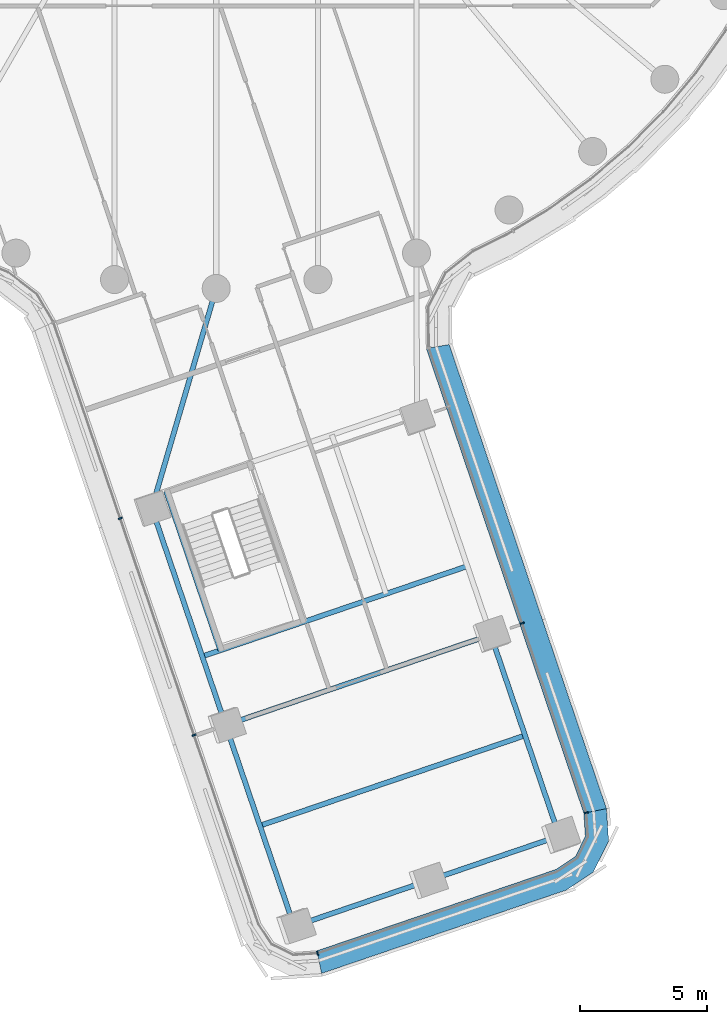
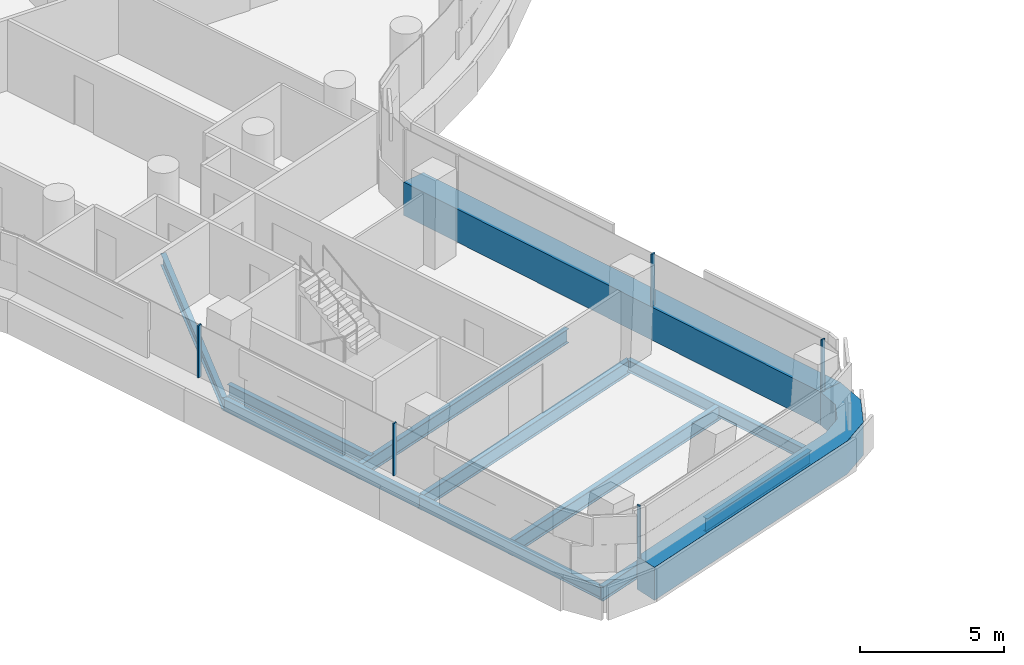
# One storey, part 2 of 29: 10 beams, 7 members, 3 elements without a shape of their own.
"""IFC4 building model written with IfcOpenShell, lengths in metres."""

from ifc_helpers import new_model, si_unit, direction, frame, origin, origin_2d, place, context, subcontext, project, spatial, polyline, rectangle, i_section, outline, extrude, material, layer, layer_set, material_profile, profile_set, type_object, element, aggregate, save


model = new_model("IFC4")

# Units and contexts
model_context = context("Model", 3, precision=1e-05, world=origin(), true_north=direction((0.0, 1.0)))
body_context = subcontext(model_context, "Body", "Model", "MODEL_VIEW")
ifc_project = project(units=[si_unit("LENGTHUNIT", "METRE"), si_unit("AREAUNIT", "SQUARE_METRE"), si_unit("VOLUMEUNIT", "CUBIC_METRE"), si_unit("PLANEANGLEUNIT", "RADIAN"), si_unit("MASSUNIT", "GRAM", prefix="KILO")], contexts=[model_context])

# Site, building, storey
site_placement = place(None, origin())
site = spatial("IfcSite", under=ifc_project, at=site_placement, CompositionType="ELEMENT")
building_placement = place(site_placement, origin())
building = spatial("IfcBuilding", under=site, at=building_placement, Name="Tamarind Cross Interchange Tower", CompositionType="ELEMENT")
storey_placement = place(building_placement, frame((0.0, 0.0, 102.25)))
storey = spatial("IfcBuildingStorey", under=building, at=storey_placement, Name="L24", CompositionType="ELEMENT", Elevation=102.25)

# Beams
ifc_material_1 = material(Name="Steel Q355B", Category="steel")
ifc_material_profile_1 = material_profile(ifc_material_1, i_section(OverallWidth=0.198974609375, OverallDepth=0.49609375, WebThickness=0.009033203125, FlangeThickness=0.013916015625, FilletRadius=0.012939453125, at=origin_2d()), Name="HN 496x199x9x14")
ifc_profile_set_1 = profile_set([ifc_material_profile_1], Name="Steel Q355B")
beam_type_1 = type_object("IfcBeamType", Name="Composite beam HN 496x199x9x14 Q355B", PredefinedType="BEAM", material=ifc_profile_set_1)
beam_1_placement = place(storey_placement, frame((3.061767578125, -48.05126953125, -0.387939453125), z_axis=(-0.322389266222, 0.946607184119, 0.0), x_axis=(-0.946607184119, -0.322389266222, 0.0)))
element("IfcBeam", 1, at=beam_1_placement, inside=storey, type_object=beam_type_1, Name="Beam S-edgeem5", PredefinedType="BEAM", context=body_context, shape_type="SweptSolid", body=[
    extrude(i_section(OverallWidth=0.198974609375, OverallDepth=0.49609375, WebThickness=0.009033203125, FlangeThickness=0.013916015625, FilletRadius=0.012939453125, at=origin_2d()), origin(), (0.0, 0.0, 1.0), 8.34765625),
])
beam_2_placement = place(storey_placement, frame((0.37060546875, -40.1494140625, -0.387939453125), z_axis=(-0.322373446849, 0.946612571629, 0.0), x_axis=(-0.946612571629, -0.322373446849, 0.0)))
element("IfcBeam", 2, at=beam_2_placement, inside=storey, type_object=beam_type_1, Name="Beam S-edgeem6", PredefinedType="BEAM", context=body_context, shape_type="SweptSolid", body=[
    extrude(i_section(OverallWidth=0.198974609375, OverallDepth=0.49609375, WebThickness=0.009033203125, FlangeThickness=0.013916015625, FilletRadius=0.012939453125, at=origin_2d()), origin(), (0.0, 0.0, 1.0), 9.0),
])
beam_3_placement = place(storey_placement, frame((13.474365234375, -44.505126953125, -0.387939453125), z_axis=(-0.322363058667, 0.946616109311, 0.0), x_axis=(-0.946616109311, -0.322363058667, 0.0)))
element("IfcBeam", 3, at=beam_3_placement, inside=storey, type_object=beam_type_1, Name="Beam S-edgeep2", PredefinedType="BEAM", context=body_context, shape_type="SweptSolid", body=[
    extrude(i_section(OverallWidth=0.198974609375, OverallDepth=0.49609375, WebThickness=0.009033203125, FlangeThickness=0.013916015625, FilletRadius=0.012939453125, at=origin_2d()), origin(), (0.0, 0.0, 1.0), 8.347412109375),
])
beam_4_placement = place(storey_placement, frame((-2.53076171875, -31.6298828125, -0.387939453125), z_axis=(0.281404911178, 0.959589118303, 0.0), x_axis=(-0.959589118303, 0.281404911178, 0.0)))
element("IfcBeam", 4, at=beam_4_placement, inside=storey, type_object=beam_type_1, Name="Beam S-linkem", PredefinedType="BEAM", context=body_context, shape_type="SweptSolid", body=[
    extrude(i_section(OverallWidth=0.198974609375, OverallDepth=0.49609375, WebThickness=0.009033203125, FlangeThickness=0.013916015625, FilletRadius=0.012939453125, at=origin_2d()), origin(), (0.0, 0.0, 1.0), 8.993408203125),
])
beam_5_placement = place(storey_placement, frame((-1.9658203125, -30.962158203125, -0.387939453125), z_axis=(0.322380172008, -0.946610281318, 0.0), x_axis=(0.946610281318, 0.322380172008, 0.0)))
element("IfcBeam", 5, at=beam_5_placement, inside=storey, type_object=beam_type_1, Name="Beam S-tr0", PredefinedType="BEAM", context=body_context, shape_type="SweptSolid", body=[
    extrude(i_section(OverallWidth=0.198974609375, OverallDepth=0.49609375, WebThickness=0.009033203125, FlangeThickness=0.013916015625, FilletRadius=0.012939453125, at=origin_2d()), origin(), (0.0, 0.0, 1.0), 6.599853515625),
])
ifc_material_profile_2 = material_profile(ifc_material_1, i_section(OverallWidth=0.199951171875, OverallDepth=0.60009765625, WebThickness=0.010986328125, FlangeThickness=0.01708984375, FilletRadius=0.012939453125, at=origin_2d()), Name="HN 600x200x11x17")
ifc_profile_set_2 = profile_set([ifc_material_profile_2], Name="Steel Q355B")
beam_type_2 = type_object("IfcBeamType", Name="Composite beam HN 600x200x11x17 Q355B", PredefinedType="BEAM", material=ifc_profile_set_2)
for number, where, z_axis, x_axis, name in (
    (6, (3.061767578125, -48.05126953125, -0.43994140625), (0.946617054323, 0.322360283634, 0.0), (-0.322360283634, 0.946617054323, 0.0), "Beam S-tip0"),
    (7, (8.26806640625, -46.2783203125, -0.43994140625), (0.946603507991, 0.322400059955, 0.0), (-0.322400059955, 0.946603507991, 0.0), "Beam S-tip1"),
):
    element("IfcBeam", number, at=place(storey_placement, frame(where, z_axis=z_axis, x_axis=x_axis)), inside=storey, type_object=beam_type_2, Name=name, PredefinedType="BEAM", context=body_context, shape_type="SweptSolid", body=[
        extrude(i_section(OverallWidth=0.199951171875, OverallDepth=0.60009765625, WebThickness=0.010986328125, FlangeThickness=0.01708984375, FilletRadius=0.012939453125, at=origin_2d()), origin(), (0.0, 0.0, 1.0), 5.5),
    ])
for number, where, z_axis, x_axis, name in (
    (8, (-0.548095703125, -37.45166015625, -0.43994140625), (0.946612587933, 0.322373398976, 0.0), (-0.322373398976, 0.946612587933, 0.0), "Beam S-x364"),
    (9, (0.37060546875, -40.1494140625, -0.43994140625), (0.946612587933, 0.322373398976, 0.0), (-0.322373398976, 0.946612587933, 0.0), "Beam S-x393"),
    (10, (1.716064453125, -44.100341796875, -0.43994140625), (0.946612587933, 0.322373398976, 0.0), (-0.322373398976, 0.946612587933, 0.0), "Beam S-x435"),
):
    element("IfcBeam", number, at=place(storey_placement, frame(where, z_axis=z_axis, x_axis=x_axis)), inside=storey, type_object=beam_type_2, Name=name, PredefinedType="BEAM", context=body_context, shape_type="SweptSolid", body=[
        extrude(i_section(OverallWidth=0.199951171875, OverallDepth=0.60009765625, WebThickness=0.010986328125, FlangeThickness=0.01708984375, FilletRadius=0.012939453125, at=origin_2d()), origin(), (0.0, 0.0, 1.0), 11.0),
    ])

# Curtain wall, member
ifc_material_2 = material(Name="Aluminium 6063-T6", Category="aluminium")
ifc_layer = layer(ifc_material_2, 0.159912109375)
ifc_layer_set = layer_set([ifc_layer], Name="Aluminium 6063-T6")
curtain_wall_type = type_object("IfcCurtainWallType", Name="Office curtain wall, 9.0 m bays", PredefinedType="NOTDEFINED", material=ifc_layer_set)
curtain_wall_1_placement = place(storey_placement, origin())
curtain_wall_1 = element("IfcCurtainWall", 11, at=curtain_wall_1_placement, inside=storey, type_object=curtain_wall_type, Name="CWS-L24-04", PredefinedType="NOTDEFINED")
ifc_material_3 = material(Name="Aluminium and insulated spandrel panel", Category="aluminium")
member_type_1 = type_object("IfcMemberType", Name="Floor-edge blade transom", PredefinedType="USERDEFINED", material=ifc_material_3)
member_1_placement = place(storey_placement, origin())
member_1 = element("IfcMember", 12, at=member_1_placement, type_object=member_type_1, Name="CWT-L24-04", ObjectType="TRANSOM", PredefinedType="USERDEFINED", context=body_context, shape_type="SweptSolid", body=[
    extrude(outline(polyline([(3.959228515625, -49.013427734375), (13.3505859375, -45.815185546875), (14.111083984375, -45.305908203125), (14.4970703125, -44.52099609375), (14.4365234375, -43.607421875), (15.32666015625, -43.43017578125), (15.4111328125, -44.701904296875), (14.812255859375, -45.91943359375), (13.7529296875, -46.62890625), (4.13720703125, -49.903564453125), (3.959228515625, -49.013427734375)])), origin(), (0.0, 0.0, 1.0), 1.39990234375),
])

curtain_wall_2_placement = place(storey_placement, origin())
curtain_wall_2 = element("IfcCurtainWall", 13, at=curtain_wall_2_placement, inside=storey, type_object=curtain_wall_type, Name="CWS-L24-05", PredefinedType="NOTDEFINED")
member_2_placement = place(storey_placement, origin())
member_2 = element("IfcMember", 14, at=member_2_placement, type_object=member_type_1, Name="CWT-L24-05", ObjectType="TRANSOM", PredefinedType="USERDEFINED", context=body_context, shape_type="SweptSolid", body=[
    extrude(outline(polyline([(14.4365234375, -43.607421875), (8.251220703125, -25.35595703125), (9.149169921875, -25.201416015625), (15.32666015625, -43.43017578125), (14.4365234375, -43.607421875)])), origin(), (0.0, 0.0, 1.0), 1.39990234375),
])

# Curtain wall, members
curtain_wall_3_placement = place(storey_placement, origin())
curtain_wall_3 = element("IfcCurtainWall", 15, at=curtain_wall_3_placement, inside=storey, type_object=curtain_wall_type, Name="CWS-L24-03", PredefinedType="NOTDEFINED")
ifc_material_profile_3 = material_profile(ifc_material_2, rectangle(XDim=0.06005859375, YDim=0.159912109375, at=origin_2d()), Name="Mullion CW1")
ifc_profile_set_3 = profile_set([ifc_material_profile_3], Name="Aluminium 6063-T6")
member_type_2 = type_object("IfcMemberType", Name="Mullion CW1", PredefinedType="MULLION", material=ifc_profile_set_3)
member_3_placement = place(storey_placement, frame((-3.768310546875, -32.0283203125, 1.39990234375), z_axis=(0.0, 0.0, 1.0), x_axis=(0.322371434957, -0.946613256786, 0.0)))
member_3 = element("IfcMember", 16, at=member_3_placement, type_object=member_type_2, Name="CWM-L24-03-01", PredefinedType="MULLION", context=body_context, shape_type="SweptSolid", body=[
    extrude(rectangle(XDim=0.06005859375, YDim=0.159912109375, at=origin_2d()), origin(), (0.0, 0.0, 1.0), 2.210205078125),
])
member_4_placement = place(storey_placement, frame((-0.86767578125, -40.545654296875, 1.39990234375), z_axis=(0.0, 0.0, 1.0), x_axis=(0.322371434957, -0.946613256786, 0.0)))
member_4 = element("IfcMember", 17, at=member_4_placement, type_object=member_type_2, Name="CWM-L24-03-02", PredefinedType="MULLION", context=body_context, shape_type="SweptSolid", body=[
    extrude(rectangle(XDim=0.06005859375, YDim=0.159912109375, at=origin_2d()), origin(), (0.0, 0.0, 1.0), 2.210205078125),
])
aggregate(curtain_wall_3, [member_3, member_4])

# Member
member_5_placement = place(storey_placement, frame((3.97900390625, -49.1123046875, 1.39990234375), z_axis=(0.0, 0.0, 1.0), x_axis=(0.980592765035, 0.196055678729, 0.0)))
member_5 = element("IfcMember", 18, at=member_5_placement, type_object=member_type_2, Name="CWM-L24-04-00", PredefinedType="MULLION", context=body_context, shape_type="SweptSolid", body=[
    extrude(rectangle(XDim=0.06005859375, YDim=0.159912109375, at=origin_2d()), origin(), (0.0, 0.0, 1.0), 2.210205078125),
])

aggregate(curtain_wall_1, [member_5, member_1])

member_6_placement = place(storey_placement, frame((14.535400390625, -43.587890625, 1.39990234375), z_axis=(0.0, 0.0, 1.0), x_axis=(-0.195324396001, 0.980738691154, 0.0)))
member_6 = element("IfcMember", 19, at=member_6_placement, type_object=member_type_2, Name="CWM-L24-05-00", PredefinedType="MULLION", context=body_context, shape_type="SweptSolid", body=[
    extrude(rectangle(XDim=0.06005859375, YDim=0.159912109375, at=origin_2d()), origin(), (0.0, 0.0, 1.0), 2.210205078125),
])

member_7_placement = place(storey_placement, frame((12.015869140625, -36.1533203125, 1.39990234375), z_axis=(0.0, 0.0, 1.0), x_axis=(-0.320959297445, 0.947092988773, 0.0)))
member_7 = element("IfcMember", 20, at=member_7_placement, type_object=member_type_2, Name="CWM-L24-05-01", PredefinedType="MULLION", context=body_context, shape_type="SweptSolid", body=[
    extrude(rectangle(XDim=0.06005859375, YDim=0.159912109375, at=origin_2d()), origin(), (0.0, 0.0, 1.0), 2.210205078125),
])

aggregate(curtain_wall_2, [member_6, member_7, member_2])

save(model, "model.ifc")
